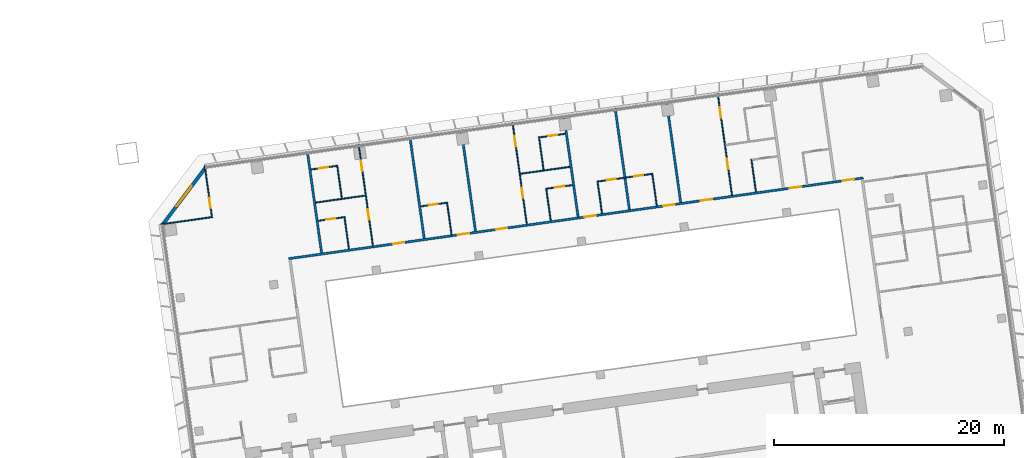
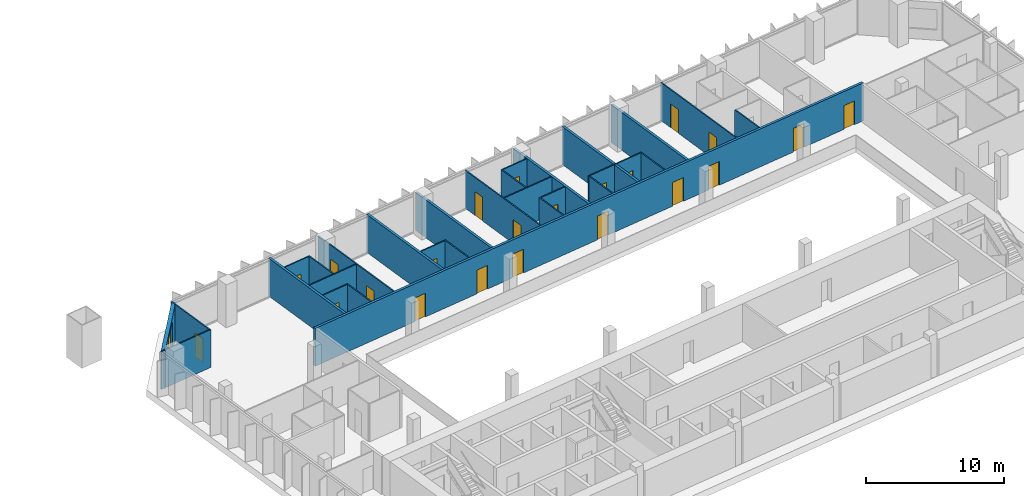
# One storey, part 21 of 25: 29 walls, 22 doors, 1 window, 23 openings.
"""IFC4 building model written with IfcOpenShell, lengths in metres."""

from ifc_helpers import new_model, si_unit, direction, frame, frame_2d, origin, place, context, subcontext, project, spatial, rectangle, extrude, material, layer, layer_set, type_object, element, fill, save


model = new_model("IFC4")

# Units and contexts
model_context = context("Model", 3, precision=1e-05, world=origin(), true_north=direction((0.0, 1.0)))
body_context = subcontext(model_context, "Body", "Model", "MODEL_VIEW")
ifc_project = project(units=[si_unit("LENGTHUNIT", "METRE"), si_unit("AREAUNIT", "SQUARE_METRE"), si_unit("VOLUMEUNIT", "CUBIC_METRE"), si_unit("PLANEANGLEUNIT", "RADIAN"), si_unit("MASSUNIT", "GRAM", prefix="KILO")], contexts=[model_context])

# Site, building, storey
site_placement = place(None, origin())
site = spatial("IfcSite", under=ifc_project, at=site_placement, CompositionType="ELEMENT")
building_placement = place(site_placement, origin())
building = spatial("IfcBuilding", under=site, at=building_placement, Name="Mirante Cascada Hotel Towers", CompositionType="ELEMENT")
storey_placement = place(building_placement, frame((0.0, 0.0, 62.3)))
storey = spatial("IfcBuildingStorey", under=building, at=storey_placement, Name="L12", CompositionType="ELEMENT", Elevation=62.3)

# Wall, openings, doors
ifc_material_1 = material(Name="Fire-rated plasterboard on metal studs")
ifc_layer_1 = layer(ifc_material_1, 0.2)
ifc_layer_set_1 = layer_set([ifc_layer_1], Name="Compartment wall 200 EI 120")
wall_type_1 = type_object("IfcWallType", Name="Compartment wall 200 EI 120", PredefinedType="PARTITIONING", material=ifc_layer_set_1)
wall_1_placement = place(storey_placement, frame((39.1051, 9.3779, 0.0), z_axis=(0.0, 0.0, 1.0), x_axis=(0.9902681, 0.1391727, 0.0)))
wall_1 = element("IfcWall", 1, at=wall_1_placement, inside=storey, type_object=wall_type_1, Name="Wall 2-L12-17", PredefinedType="PARTITIONING", context=body_context, shape_type="SweptSolid", body=[
    extrude(rectangle(XDim=50.4, YDim=0.2, at=frame_2d((25.2, 0.0))), origin(), (0.0, 0.0, 1.0), 3.35),
])
opening_1_placement = place(wall_1_placement, frame((9.15, 0.0, 0.0)))
opening_1 = element("IfcOpeningElement", 2, at=opening_1_placement, cuts=wall_1, Name="Opening D2-L12-08", PredefinedType="OPENING", context=body_context, shape_type="SweptSolid", body=[
    extrude(rectangle(XDim=1.0, YDim=2.1, at=frame_2d((0.5, 1.05))), frame((0.0, 0.1, 0.0), z_axis=(0.0, -1.0, 0.0), x_axis=(1.0, 0.0, 0.0)), (0.0, 0.0, 1.0), 0.2),
])
opening_2_placement = place(wall_1_placement, frame((14.85, 0.0, 0.0)))
opening_2 = element("IfcOpeningElement", 3, at=opening_2_placement, cuts=wall_1, Name="Opening D2-L12-09", PredefinedType="OPENING", context=body_context, shape_type="SweptSolid", body=[
    extrude(rectangle(XDim=1.0, YDim=2.1, at=frame_2d((0.5, 1.05))), frame((0.0, 0.1, 0.0), z_axis=(0.0, -1.0, 0.0), x_axis=(1.0, 0.0, 0.0)), (0.0, 0.0, 1.0), 0.2),
])
opening_3_placement = place(wall_1_placement, frame((18.15, 0.0, 0.0)))
opening_3 = element("IfcOpeningElement", 4, at=opening_3_placement, cuts=wall_1, Name="Opening D2-L12-10", PredefinedType="OPENING", context=body_context, shape_type="SweptSolid", body=[
    extrude(rectangle(XDim=1.0, YDim=2.1, at=frame_2d((0.5, 1.05))), frame((0.0, 0.1, 0.0), z_axis=(0.0, -1.0, 0.0), x_axis=(1.0, 0.0, 0.0)), (0.0, 0.0, 1.0), 0.2),
])
opening_4_placement = place(wall_1_placement, frame((25.95, 0.0, 0.0)))
opening_4 = element("IfcOpeningElement", 5, at=opening_4_placement, cuts=wall_1, Name="Opening D2-L12-11", PredefinedType="OPENING", context=body_context, shape_type="SweptSolid", body=[
    extrude(rectangle(XDim=1.0, YDim=2.1, at=frame_2d((0.5, 1.05))), frame((0.0, 0.1, 0.0), z_axis=(0.0, -1.0, 0.0), x_axis=(1.0, 0.0, 0.0)), (0.0, 0.0, 1.0), 0.2),
])
opening_5_placement = place(wall_1_placement, frame((32.85, 0.0, 0.0)))
opening_5 = element("IfcOpeningElement", 6, at=opening_5_placement, cuts=wall_1, Name="Opening D2-L12-12", PredefinedType="OPENING", context=body_context, shape_type="SweptSolid", body=[
    extrude(rectangle(XDim=1.0, YDim=2.1, at=frame_2d((0.5, 1.05))), frame((0.0, 0.1, 0.0), z_axis=(0.0, -1.0, 0.0), x_axis=(1.0, 0.0, 0.0)), (0.0, 0.0, 1.0), 0.2),
])
opening_6_placement = place(wall_1_placement, frame((36.15, 0.0, 0.0)))
opening_6 = element("IfcOpeningElement", 7, at=opening_6_placement, cuts=wall_1, Name="Opening D2-L12-13", PredefinedType="OPENING", context=body_context, shape_type="SweptSolid", body=[
    extrude(rectangle(XDim=1.0, YDim=2.1, at=frame_2d((0.5, 1.05))), frame((0.0, 0.1, 0.0), z_axis=(0.0, -1.0, 0.0), x_axis=(1.0, 0.0, 0.0)), (0.0, 0.0, 1.0), 0.2),
])
opening_7_placement = place(wall_1_placement, frame((43.95, 0.0, 0.0)))
opening_7 = element("IfcOpeningElement", 8, at=opening_7_placement, cuts=wall_1, Name="Opening D2-L12-14", PredefinedType="OPENING", context=body_context, shape_type="SweptSolid", body=[
    extrude(rectangle(XDim=1.0, YDim=2.1, at=frame_2d((0.5, 1.05))), frame((0.0, 0.1, 0.0), z_axis=(0.0, -1.0, 0.0), x_axis=(1.0, 0.0, 0.0)), (0.0, 0.0, 1.0), 0.2),
])
opening_8_placement = place(wall_1_placement, frame((48.6, 0.0, 0.0)))
opening_8 = element("IfcOpeningElement", 9, at=opening_8_placement, cuts=wall_1, Name="Opening D2-L12-15", PredefinedType="OPENING", context=body_context, shape_type="SweptSolid", body=[
    extrude(rectangle(XDim=1.0, YDim=2.1, at=frame_2d((0.5, 1.05))), frame((0.0, 0.1, 0.0), z_axis=(0.0, -1.0, 0.0), x_axis=(1.0, 0.0, 0.0)), (0.0, 0.0, 1.0), 0.2),
])
ifc_material_2 = material(Name="Fire-rated timber door leaf", Category="wood")
door_type_1 = type_object("IfcDoorType", Name="Entrance door DG1 1000x2100 EI 60", OperationType="SINGLE_SWING_LEFT", PredefinedType="DOOR", material=ifc_material_2)
door_1_placement = place(opening_1_placement, origin())
door_1 = element("IfcDoor", 10, at=door_1_placement, inside=storey, type_object=door_type_1, Name="Door D2-L12-08", OperationType="SINGLE_SWING_LEFT", OverallHeight=2.1, OverallWidth=1.0, PredefinedType="DOOR", context=body_context, shape_type="SweptSolid", body=[
    extrude(rectangle(XDim=1.0, YDim=2.1, at=frame_2d((0.5, 1.05))), frame((0.0, 0.025, 0.0), z_axis=(0.0, -1.0, 0.0), x_axis=(1.0, 0.0, 0.0)), (0.0, 0.0, 1.0), 0.05),
])
fill(opening_1, door_1)
door_2_placement = place(opening_2_placement, origin())
door_2 = element("IfcDoor", 11, at=door_2_placement, inside=storey, type_object=door_type_1, Name="Door D2-L12-09", OperationType="SINGLE_SWING_LEFT", OverallHeight=2.1, OverallWidth=1.0, PredefinedType="DOOR", context=body_context, shape_type="SweptSolid", body=[
    extrude(rectangle(XDim=1.0, YDim=2.1, at=frame_2d((0.5, 1.05))), frame((0.0, 0.025, 0.0), z_axis=(0.0, -1.0, 0.0), x_axis=(1.0, 0.0, 0.0)), (0.0, 0.0, 1.0), 0.05),
])
fill(opening_2, door_2)
door_3_placement = place(opening_3_placement, origin())
door_3 = element("IfcDoor", 12, at=door_3_placement, inside=storey, type_object=door_type_1, Name="Door D2-L12-10", OperationType="SINGLE_SWING_LEFT", OverallHeight=2.1, OverallWidth=1.0, PredefinedType="DOOR", context=body_context, shape_type="SweptSolid", body=[
    extrude(rectangle(XDim=1.0, YDim=2.1, at=frame_2d((0.5, 1.05))), frame((0.0, 0.025, 0.0), z_axis=(0.0, -1.0, 0.0), x_axis=(1.0, 0.0, 0.0)), (0.0, 0.0, 1.0), 0.05),
])
fill(opening_3, door_3)
door_4_placement = place(opening_4_placement, origin())
door_4 = element("IfcDoor", 13, at=door_4_placement, inside=storey, type_object=door_type_1, Name="Door D2-L12-11", OperationType="SINGLE_SWING_LEFT", OverallHeight=2.1, OverallWidth=1.0, PredefinedType="DOOR", context=body_context, shape_type="SweptSolid", body=[
    extrude(rectangle(XDim=1.0, YDim=2.1, at=frame_2d((0.5, 1.05))), frame((0.0, 0.025, 0.0), z_axis=(0.0, -1.0, 0.0), x_axis=(1.0, 0.0, 0.0)), (0.0, 0.0, 1.0), 0.05),
])
fill(opening_4, door_4)
door_5_placement = place(opening_5_placement, origin())
door_5 = element("IfcDoor", 14, at=door_5_placement, inside=storey, type_object=door_type_1, Name="Door D2-L12-12", OperationType="SINGLE_SWING_LEFT", OverallHeight=2.1, OverallWidth=1.0, PredefinedType="DOOR", context=body_context, shape_type="SweptSolid", body=[
    extrude(rectangle(XDim=1.0, YDim=2.1, at=frame_2d((0.5, 1.05))), frame((0.0, 0.025, 0.0), z_axis=(0.0, -1.0, 0.0), x_axis=(1.0, 0.0, 0.0)), (0.0, 0.0, 1.0), 0.05),
])
fill(opening_5, door_5)
door_6_placement = place(opening_6_placement, origin())
door_6 = element("IfcDoor", 15, at=door_6_placement, inside=storey, type_object=door_type_1, Name="Door D2-L12-13", OperationType="SINGLE_SWING_LEFT", OverallHeight=2.1, OverallWidth=1.0, PredefinedType="DOOR", context=body_context, shape_type="SweptSolid", body=[
    extrude(rectangle(XDim=1.0, YDim=2.1, at=frame_2d((0.5, 1.05))), frame((0.0, 0.025, 0.0), z_axis=(0.0, -1.0, 0.0), x_axis=(1.0, 0.0, 0.0)), (0.0, 0.0, 1.0), 0.05),
])
fill(opening_6, door_6)
door_7_placement = place(opening_7_placement, origin())
door_7 = element("IfcDoor", 16, at=door_7_placement, inside=storey, type_object=door_type_1, Name="Door D2-L12-14", OperationType="SINGLE_SWING_LEFT", OverallHeight=2.1, OverallWidth=1.0, PredefinedType="DOOR", context=body_context, shape_type="SweptSolid", body=[
    extrude(rectangle(XDim=1.0, YDim=2.1, at=frame_2d((0.5, 1.05))), frame((0.0, 0.025, 0.0), z_axis=(0.0, -1.0, 0.0), x_axis=(1.0, 0.0, 0.0)), (0.0, 0.0, 1.0), 0.05),
])
fill(opening_7, door_7)
door_8_placement = place(opening_8_placement, origin())
door_8 = element("IfcDoor", 17, at=door_8_placement, inside=storey, type_object=door_type_1, Name="Door D2-L12-15", OperationType="SINGLE_SWING_LEFT", OverallHeight=2.1, OverallWidth=1.0, PredefinedType="DOOR", context=body_context, shape_type="SweptSolid", body=[
    extrude(rectangle(XDim=1.0, YDim=2.1, at=frame_2d((0.5, 1.05))), frame((0.0, 0.025, 0.0), z_axis=(0.0, -1.0, 0.0), x_axis=(1.0, 0.0, 0.0)), (0.0, 0.0, 1.0), 0.05),
])
fill(opening_8, door_8)

# Walls
for number, where, z_axis, x_axis, name in (
    (18, (40.7243, 18.6939, 0.0), (0.0, 0.0, 1.0), (0.1391794, -0.9902672, 0.0), "Wall 2-L12-38"),
    (19, (49.6367, 19.9465, 0.0), (0.0, 0.0, 1.0), (0.1391794, -0.9902672, 0.0), "Wall 2-L12-42"),
    (20, (54.0929, 20.5728, 0.0), (0.0, 0.0, 1.0), (0.1391794, -0.9902672, 0.0), "Wall 2-L12-44"),
    (21, (63.0054, 21.8253, 0.0), (0.0, 0.0, 1.0), (0.1391684, -0.9902687, 0.0), "Wall 2-L12-48"),
    (22, (67.4616, 22.4516, 0.0), (0.0, 0.0, 1.0), (0.1391684, -0.9902687, 0.0), "Wall 2-L12-50"),
    (23, (71.9178, 23.0779, 0.0), (0.0, 0.0, 1.0), (0.1391684, -0.9902687, 0.0), "Wall 2-L12-52"),
):
    element("IfcWall", number, at=place(storey_placement, frame(where, z_axis=z_axis, x_axis=x_axis)), inside=storey, type_object=wall_type_1, Name=name, PredefinedType="PARTITIONING", context=body_context, shape_type="SweptSolid", body=[
        extrude(rectangle(XDim=8.9, YDim=0.2, at=frame_2d((4.45, 0.0))), origin(), (0.0, 0.0, 1.0), 3.35),
    ])

# Wall, opening, door
ifc_material_3 = material(Name="Plasterboard on metal studs")
ifc_layer_2 = layer(ifc_material_3, 0.1)
ifc_layer_set_2 = layer_set([ifc_layer_2], Name="Partition 100")
wall_type_2 = type_object("IfcWallType", Name="Partition 100", PredefinedType="PARTITIONING", material=ifc_layer_set_2)
wall_2_placement = place(storey_placement, frame((43.9004, 12.9804, 0.0), z_axis=(0.0, 0.0, 1.0), x_axis=(-0.9902643, -0.1391997, 0.0)))
wall_2 = element("IfcWall", 24, at=wall_2_placement, inside=storey, type_object=wall_type_2, Name="Wall 2-L12-18", PredefinedType="PARTITIONING", context=body_context, shape_type="SweptSolid", body=[
    extrude(rectangle(XDim=2.25, YDim=0.1, at=frame_2d((1.125, 0.0))), origin(), (0.0, 0.0, 1.0), 3.35),
])
opening_9_placement = place(wall_2_placement, frame((0.75, 0.0, 0.0)))
opening_9 = element("IfcOpeningElement", 25, at=opening_9_placement, cuts=wall_2, Name="Opening D2-L12-16", PredefinedType="OPENING", context=body_context, shape_type="SweptSolid", body=[
    extrude(rectangle(XDim=0.8, YDim=2.1, at=frame_2d((0.4, 1.05))), frame((0.0, 0.05, 0.0), z_axis=(0.0, -1.0, 0.0), x_axis=(1.0, 0.0, 0.0)), (0.0, 0.0, 1.0), 0.1),
])
ifc_material_4 = material(Name="Timber door leaf", Category="wood")
door_type_2 = type_object("IfcDoorType", Name="Bathroom door DG4 800x2100", OperationType="SINGLE_SWING_LEFT", PredefinedType="DOOR", material=ifc_material_4)
door_9_placement = place(opening_9_placement, origin())
door_9 = element("IfcDoor", 26, at=door_9_placement, inside=storey, type_object=door_type_2, Name="Door D2-L12-16", OperationType="SINGLE_SWING_LEFT", OverallHeight=2.1, OverallWidth=0.8, PredefinedType="DOOR", context=body_context, shape_type="SweptSolid", body=[
    extrude(rectangle(XDim=0.8, YDim=2.1, at=frame_2d((0.4, 1.05))), frame((0.0, 0.025, 0.0), z_axis=(0.0, -1.0, 0.0), x_axis=(1.0, 0.0, 0.0)), (0.0, 0.0, 1.0), 0.05),
])
fill(opening_9, door_9)

wall_3_placement = place(storey_placement, frame((50.5847, 13.9198, 0.0), z_axis=(0.0, 0.0, 1.0), x_axis=(0.9902705, 0.1391561, 0.0)))
wall_3 = element("IfcWall", 27, at=wall_3_placement, inside=storey, type_object=wall_type_2, Name="Wall 2-L12-19", PredefinedType="PARTITIONING", context=body_context, shape_type="SweptSolid", body=[
    extrude(rectangle(XDim=2.25, YDim=0.1, at=frame_2d((1.125, 0.0))), origin(), (0.0, 0.0, 1.0), 3.35),
])
opening_10_placement = place(wall_3_placement, frame((0.7, 0.0, 0.0)))
opening_10 = element("IfcOpeningElement", 28, at=opening_10_placement, cuts=wall_3, Name="Opening D2-L12-17", PredefinedType="OPENING", context=body_context, shape_type="SweptSolid", body=[
    extrude(rectangle(XDim=0.8, YDim=2.1, at=frame_2d((0.4, 1.05))), frame((0.0, 0.05, 0.0), z_axis=(0.0, -1.0, 0.0), x_axis=(1.0, 0.0, 0.0)), (0.0, 0.0, 1.0), 0.1),
])
door_10_placement = place(opening_10_placement, origin())
door_10 = element("IfcDoor", 29, at=door_10_placement, inside=storey, type_object=door_type_2, Name="Door D2-L12-17", OperationType="SINGLE_SWING_LEFT", OverallHeight=2.1, OverallWidth=0.8, PredefinedType="DOOR", context=body_context, shape_type="SweptSolid", body=[
    extrude(rectangle(XDim=0.8, YDim=2.1, at=frame_2d((0.4, 1.05))), frame((0.0, 0.025, 0.0), z_axis=(0.0, -1.0, 0.0), x_axis=(1.0, 0.0, 0.0)), (0.0, 0.0, 1.0), 0.05),
])
fill(opening_10, door_10)

wall_4_placement = place(storey_placement, frame((63.7553, 15.7708, 0.0), z_axis=(0.0, 0.0, 1.0), x_axis=(-0.9902643, -0.1391997, 0.0)))
wall_4 = element("IfcWall", 30, at=wall_4_placement, inside=storey, type_object=wall_type_2, Name="Wall 2-L12-20", PredefinedType="PARTITIONING", context=body_context, shape_type="SweptSolid", body=[
    extrude(rectangle(XDim=2.25, YDim=0.1, at=frame_2d((1.125, 0.0))), origin(), (0.0, 0.0, 1.0), 3.35),
])
opening_11_placement = place(wall_4_placement, frame((0.7, 0.0, 0.0)))
opening_11 = element("IfcOpeningElement", 31, at=opening_11_placement, cuts=wall_4, Name="Opening D2-L12-18", PredefinedType="OPENING", context=body_context, shape_type="SweptSolid", body=[
    extrude(rectangle(XDim=0.8, YDim=2.1, at=frame_2d((0.4, 1.05))), frame((0.0, 0.05, 0.0), z_axis=(0.0, -1.0, 0.0), x_axis=(1.0, 0.0, 0.0)), (0.0, 0.0, 1.0), 0.1),
])
door_11_placement = place(opening_11_placement, origin())
door_11 = element("IfcDoor", 32, at=door_11_placement, inside=storey, type_object=door_type_2, Name="Door D2-L12-18", OperationType="SINGLE_SWING_LEFT", OverallHeight=2.1, OverallWidth=0.8, PredefinedType="DOOR", context=body_context, shape_type="SweptSolid", body=[
    extrude(rectangle(XDim=0.8, YDim=2.1, at=frame_2d((0.4, 1.05))), frame((0.0, 0.025, 0.0), z_axis=(0.0, -1.0, 0.0), x_axis=(1.0, 0.0, 0.0)), (0.0, 0.0, 1.0), 0.05),
])
fill(opening_11, door_11)

# Wall, openings, doors
wall_5_placement = place(storey_placement, frame((65.8844, 16.07, 0.0), z_axis=(0.0, 0.0, 1.0), x_axis=(0.9902694, 0.1391638, 0.0)))
wall_5 = element("IfcWall", 33, at=wall_5_placement, inside=storey, type_object=wall_type_2, Name="Wall 2-L12-21", PredefinedType="PARTITIONING", context=body_context, shape_type="SweptSolid", body=[
    extrude(rectangle(XDim=4.9, YDim=0.1, at=frame_2d((2.45, 0.0))), origin(), (0.0, 0.0, 1.0), 3.35),
])
opening_12_placement = place(wall_5_placement, frame((0.85, 0.0, 0.0)))
opening_12 = element("IfcOpeningElement", 34, at=opening_12_placement, cuts=wall_5, Name="Opening D2-L12-19", PredefinedType="OPENING", context=body_context, shape_type="SweptSolid", body=[
    extrude(rectangle(XDim=0.8, YDim=2.1, at=frame_2d((0.4, 1.05))), frame((0.0, 0.05, 0.0), z_axis=(0.0, -1.0, 0.0), x_axis=(1.0, 0.0, 0.0)), (0.0, 0.0, 1.0), 0.1),
])
opening_13_placement = place(wall_5_placement, frame((3.25, 0.0, 0.0)))
opening_13 = element("IfcOpeningElement", 35, at=opening_13_placement, cuts=wall_5, Name="Opening D2-L12-20", PredefinedType="OPENING", context=body_context, shape_type="SweptSolid", body=[
    extrude(rectangle(XDim=0.8, YDim=2.1, at=frame_2d((0.4, 1.05))), frame((0.0, 0.05, 0.0), z_axis=(0.0, -1.0, 0.0), x_axis=(1.0, 0.0, 0.0)), (0.0, 0.0, 1.0), 0.1),
])
door_12_placement = place(opening_12_placement, origin())
door_12 = element("IfcDoor", 36, at=door_12_placement, inside=storey, type_object=door_type_2, Name="Door D2-L12-19", OperationType="SINGLE_SWING_LEFT", OverallHeight=2.1, OverallWidth=0.8, PredefinedType="DOOR", context=body_context, shape_type="SweptSolid", body=[
    extrude(rectangle(XDim=0.8, YDim=2.1, at=frame_2d((0.4, 1.05))), frame((0.0, 0.025, 0.0), z_axis=(0.0, -1.0, 0.0), x_axis=(1.0, 0.0, 0.0)), (0.0, 0.0, 1.0), 0.05),
])
fill(opening_12, door_12)
door_13_placement = place(opening_13_placement, origin())
door_13 = element("IfcDoor", 37, at=door_13_placement, inside=storey, type_object=door_type_2, Name="Door D2-L12-20", OperationType="SINGLE_SWING_LEFT", OverallHeight=2.1, OverallWidth=0.8, PredefinedType="DOOR", context=body_context, shape_type="SweptSolid", body=[
    extrude(rectangle(XDim=0.8, YDim=2.1, at=frame_2d((0.4, 1.05))), frame((0.0, 0.025, 0.0), z_axis=(0.0, -1.0, 0.0), x_axis=(1.0, 0.0, 0.0)), (0.0, 0.0, 1.0), 0.05),
])
fill(opening_13, door_13)

# Walls
wall_6_placement = place(storey_placement, frame((32.4877, 12.9921, 0.0), z_axis=(0.0, 0.0, 1.0), x_axis=(-0.9902691, -0.1391656, 0.0)))
element("IfcWall", 38, at=wall_6_placement, inside=storey, type_object=wall_type_2, Name="Wall 2-L12-24", PredefinedType="PARTITIONING", context=body_context, shape_type="SweptSolid", body=[
    extrude(rectangle(XDim=4.55, YDim=0.1, at=frame_2d((2.275, 0.0))), origin(), (0.0, 0.0, 1.0), 3.35),
])
for number, where, z_axis, x_axis, name in (
    (39, (41.4496, 14.2516, 0.0), (0.0, 0.0, 1.0), (0.9902683, 0.1391714, 0.0), "Wall 2-L12-25"),
    (40, (63.5326, 17.3552, 0.0), (0.0, 0.0, 1.0), (-0.9902683, -0.1391714, 0.0), "Wall 2-L12-26"),
):
    element("IfcWall", number, at=place(storey_placement, frame(where, z_axis=z_axis, x_axis=x_axis)), inside=storey, type_object=wall_type_2, Name=name, PredefinedType="PARTITIONING", context=body_context, shape_type="SweptSolid", body=[
        extrude(rectangle(XDim=4.35, YDim=0.1, at=frame_2d((2.175, 0.0))), origin(), (0.0, 0.0, 1.0), 3.35),
    ])

# Wall, opening, door
wall_7_placement = place(storey_placement, frame((43.2741, 17.4366, 0.0), z_axis=(0.0, 0.0, 1.0), x_axis=(-0.9902643, -0.1391997, 0.0)))
wall_7 = element("IfcWall", 41, at=wall_7_placement, inside=storey, type_object=wall_type_2, Name="Wall 2-L12-28", PredefinedType="PARTITIONING", context=body_context, shape_type="SweptSolid", body=[
    extrude(rectangle(XDim=2.25, YDim=0.1, at=frame_2d((1.125, 0.0))), origin(), (0.0, 0.0, 1.0), 3.35),
])
opening_14_placement = place(wall_7_placement, frame((0.75, 0.0, 0.0)))
opening_14 = element("IfcOpeningElement", 42, at=opening_14_placement, cuts=wall_7, Name="Opening D2-L12-23", PredefinedType="OPENING", context=body_context, shape_type="SweptSolid", body=[
    extrude(rectangle(XDim=0.8, YDim=2.1, at=frame_2d((0.4, 1.05))), frame((0.0, 0.05, 0.0), z_axis=(0.0, -1.0, 0.0), x_axis=(1.0, 0.0, 0.0)), (0.0, 0.0, 1.0), 0.1),
])
door_14_placement = place(opening_14_placement, origin())
door_14 = element("IfcDoor", 43, at=door_14_placement, inside=storey, type_object=door_type_2, Name="Door D2-L12-23", OperationType="SINGLE_SWING_LEFT", OverallHeight=2.1, OverallWidth=0.8, PredefinedType="DOOR", context=body_context, shape_type="SweptSolid", body=[
    extrude(rectangle(XDim=0.8, YDim=2.1, at=frame_2d((0.4, 1.05))), frame((0.0, 0.025, 0.0), z_axis=(0.0, -1.0, 0.0), x_axis=(1.0, 0.0, 0.0)), (0.0, 0.0, 1.0), 0.05),
])
fill(opening_14, door_14)

wall_8_placement = place(storey_placement, frame((60.9009, 19.9138, 0.0), z_axis=(0.0, 0.0, 1.0), x_axis=(0.9902643, 0.1391997, 0.0)))
wall_8 = element("IfcWall", 44, at=wall_8_placement, inside=storey, type_object=wall_type_2, Name="Wall 2-L12-29", PredefinedType="PARTITIONING", context=body_context, shape_type="SweptSolid", body=[
    extrude(rectangle(XDim=2.25, YDim=0.1, at=frame_2d((1.125, 0.0))), origin(), (0.0, 0.0, 1.0), 3.35),
])
opening_15_placement = place(wall_8_placement, frame((0.75, 0.0, 0.0)))
opening_15 = element("IfcOpeningElement", 45, at=opening_15_placement, cuts=wall_8, Name="Opening D2-L12-24", PredefinedType="OPENING", context=body_context, shape_type="SweptSolid", body=[
    extrude(rectangle(XDim=0.8, YDim=2.1, at=frame_2d((0.4, 1.05))), frame((0.0, 0.05, 0.0), z_axis=(0.0, -1.0, 0.0), x_axis=(1.0, 0.0, 0.0)), (0.0, 0.0, 1.0), 0.1),
])
door_15_placement = place(opening_15_placement, frame((0.8, 0.0, 0.0), z_axis=(0.0, 0.0, 1.0), x_axis=(-1.0, 0.0, 0.0)))
door_15 = element("IfcDoor", 46, at=door_15_placement, inside=storey, type_object=door_type_2, Name="Door D2-L12-24", OperationType="SINGLE_SWING_RIGHT", OverallHeight=2.1, OverallWidth=0.8, PredefinedType="DOOR", context=body_context, shape_type="SweptSolid", body=[
    extrude(rectangle(XDim=0.8, YDim=2.1, at=frame_2d((0.4, 1.05))), frame((0.0, 0.025, 0.0), z_axis=(0.0, -1.0, 0.0), x_axis=(1.0, 0.0, 0.0)), (0.0, 0.0, 1.0), 0.05),
])
fill(opening_15, door_15)

wall_9_placement = place(storey_placement, frame((31.8119, 17.4414, 0.0), z_axis=(0.0, 0.0, 1.0), x_axis=(0.1391684, -0.9902687, 0.0)))
wall_9 = element("IfcWall", 47, at=wall_9_placement, inside=storey, type_object=wall_type_2, Name="Wall 2-L12-34", PredefinedType="PARTITIONING", context=body_context, shape_type="SweptSolid", body=[
    extrude(rectangle(XDim=4.45, YDim=0.1, at=frame_2d((2.225, 0.0))), origin(), (0.0, 0.0, 1.0), 3.35),
])
opening_16_placement = place(wall_9_placement, frame((2.8, 0.0, 0.0)))
opening_16 = element("IfcOpeningElement", 48, at=opening_16_placement, cuts=wall_9, Name="Opening D2-L12-29", PredefinedType="OPENING", context=body_context, shape_type="SweptSolid", body=[
    extrude(rectangle(XDim=0.9, YDim=2.1, at=frame_2d((0.45, 1.05))), frame((0.0, 0.05, 0.0), z_axis=(0.0, -1.0, 0.0), x_axis=(1.0, 0.0, 0.0)), (0.0, 0.0, 1.0), 0.1),
])
ifc_material_5 = material(Name="Timber door leaf", Category="wood")
door_type_3 = type_object("IfcDoorType", Name="Room door DG3 900x2100", OperationType="SINGLE_SWING_LEFT", PredefinedType="DOOR", material=ifc_material_5)
door_16_placement = place(opening_16_placement, origin())
door_16 = element("IfcDoor", 49, at=door_16_placement, inside=storey, type_object=door_type_3, Name="Door D2-L12-29", OperationType="SINGLE_SWING_LEFT", OverallHeight=2.1, OverallWidth=0.9, PredefinedType="DOOR", context=body_context, shape_type="SweptSolid", body=[
    extrude(rectangle(XDim=0.9, YDim=2.1, at=frame_2d((0.45, 1.05))), frame((0.0, 0.025, 0.0), z_axis=(0.0, -1.0, 0.0), x_axis=(1.0, 0.0, 0.0)), (0.0, 0.0, 1.0), 0.05),
])
fill(opening_16, door_16)

# Walls
wall_10_placement = place(storey_placement, frame((44.3396, 10.2146, 0.0), z_axis=(0.0, 0.0, 1.0), x_axis=(-0.1391613, 0.9902697, 0.0)))
element("IfcWall", 50, at=wall_10_placement, inside=storey, type_object=wall_type_2, Name="Wall 2-L12-39", PredefinedType="PARTITIONING", context=body_context, shape_type="SweptSolid", body=[
    extrude(rectangle(XDim=2.8499, YDim=0.1, at=frame_2d((1.425, 0.0))), origin(), (0.0, 0.0, 1.0), 3.35),
])
wall_11_placement = place(storey_placement, frame((43.3167, 17.493, 0.0), z_axis=(0.0, 0.0, 1.0), x_axis=(0.1391761, -0.9902676, 0.0)))
element("IfcWall", 51, at=wall_11_placement, inside=storey, type_object=wall_type_2, Name="Wall 2-L12-40", PredefinedType="PARTITIONING", context=body_context, shape_type="SweptSolid", body=[
    extrude(rectangle(XDim=2.8999, YDim=0.1, at=frame_2d((1.45, 0.0))), origin(), (0.0, 0.0, 1.0), 3.35),
])

# Wall, openings, doors
wall_12_placement = place(storey_placement, frame((46.4192, 10.5068, 0.0), z_axis=(0.0, 0.0, 1.0), x_axis=(-0.1391794, 0.9902672, 0.0)))
wall_12 = element("IfcWall", 52, at=wall_12_placement, inside=storey, type_object=wall_type_2, Name="Wall 2-L12-41", PredefinedType="PARTITIONING", context=body_context, shape_type="SweptSolid", body=[
    extrude(rectangle(XDim=8.9, YDim=0.1, at=frame_2d((4.45, 0.0))), origin(), (0.0, 0.0, 1.0), 3.35),
])
opening_17_placement = place(wall_12_placement, frame((2.3, 0.0, 0.0)))
opening_17 = element("IfcOpeningElement", 53, at=opening_17_placement, cuts=wall_12, Name="Opening D2-L12-32", PredefinedType="OPENING", context=body_context, shape_type="SweptSolid", body=[
    extrude(rectangle(XDim=0.9, YDim=2.1, at=frame_2d((0.45, 1.05))), frame((0.0, 0.05, 0.0), z_axis=(0.0, -1.0, 0.0), x_axis=(1.0, 0.0, 0.0)), (0.0, 0.0, 1.0), 0.1),
])
opening_18_placement = place(wall_12_placement, frame((6.55, 0.0, 0.0)))
opening_18 = element("IfcOpeningElement", 54, at=opening_18_placement, cuts=wall_12, Name="Opening D2-L12-33", PredefinedType="OPENING", context=body_context, shape_type="SweptSolid", body=[
    extrude(rectangle(XDim=0.9, YDim=2.1, at=frame_2d((0.45, 1.05))), frame((0.0, 0.05, 0.0), z_axis=(0.0, -1.0, 0.0), x_axis=(1.0, 0.0, 0.0)), (0.0, 0.0, 1.0), 0.1),
])
door_17_placement = place(opening_17_placement, frame((0.9, 0.0, 0.0), z_axis=(0.0, 0.0, 1.0), x_axis=(-1.0, 0.0, 0.0)))
door_17 = element("IfcDoor", 55, at=door_17_placement, inside=storey, type_object=door_type_3, Name="Door D2-L12-32", OperationType="SINGLE_SWING_RIGHT", OverallHeight=2.1, OverallWidth=0.9, PredefinedType="DOOR", context=body_context, shape_type="SweptSolid", body=[
    extrude(rectangle(XDim=0.9, YDim=2.1, at=frame_2d((0.45, 1.05))), frame((0.0, 0.025, 0.0), z_axis=(0.0, -1.0, 0.0), x_axis=(1.0, 0.0, 0.0)), (0.0, 0.0, 1.0), 0.05),
])
fill(opening_17, door_17)
door_18_placement = place(opening_18_placement, frame((0.9, 0.0, 0.0), z_axis=(0.0, 0.0, 1.0), x_axis=(-1.0, 0.0, 0.0)))
door_18 = element("IfcDoor", 56, at=door_18_placement, inside=storey, type_object=door_type_3, Name="Door D2-L12-33", OperationType="SINGLE_SWING_RIGHT", OverallHeight=2.1, OverallWidth=0.9, PredefinedType="DOOR", context=body_context, shape_type="SweptSolid", body=[
    extrude(rectangle(XDim=0.9, YDim=2.1, at=frame_2d((0.45, 1.05))), frame((0.0, 0.025, 0.0), z_axis=(0.0, -1.0, 0.0), x_axis=(1.0, 0.0, 0.0)), (0.0, 0.0, 1.0), 0.05),
])
fill(opening_18, door_18)

# Wall
wall_13_placement = place(storey_placement, frame((53.252, 11.4671, 0.0), z_axis=(0.0, 0.0, 1.0), x_axis=(-0.1391564, 0.9902704, 0.0)))
element("IfcWall", 57, at=wall_13_placement, inside=storey, type_object=wall_type_2, Name="Wall 2-L12-43", PredefinedType="PARTITIONING", context=body_context, shape_type="SweptSolid", body=[
    extrude(rectangle(XDim=2.85, YDim=0.1, at=frame_2d((1.425, 0.0))), origin(), (0.0, 0.0, 1.0), 3.35),
])

# Wall, openings, doors
wall_14_placement = place(storey_placement, frame((59.7878, 12.3857, 0.0), z_axis=(0.0, 0.0, 1.0), x_axis=(-0.13917, 0.9902685, 0.0)))
wall_14 = element("IfcWall", 58, at=wall_14_placement, inside=storey, type_object=wall_type_2, Name="Wall 2-L12-45", PredefinedType="PARTITIONING", context=body_context, shape_type="SweptSolid", body=[
    extrude(rectangle(XDim=8.8999, YDim=0.1, at=frame_2d((4.45, 0.0))), origin(), (0.0, 0.0, 1.0), 3.35),
])
opening_19_placement = place(wall_14_placement, frame((2.3, 0.0, 0.0)))
opening_19 = element("IfcOpeningElement", 59, at=opening_19_placement, cuts=wall_14, Name="Opening D2-L12-34", PredefinedType="OPENING", context=body_context, shape_type="SweptSolid", body=[
    extrude(rectangle(XDim=0.9, YDim=2.1, at=frame_2d((0.45, 1.05))), frame((0.0, 0.05, 0.0), z_axis=(0.0, -1.0, 0.0), x_axis=(1.0, 0.0, 0.0)), (0.0, 0.0, 1.0), 0.1),
])
opening_20_placement = place(wall_14_placement, frame((6.8, 0.0, 0.0)))
opening_20 = element("IfcOpeningElement", 60, at=opening_20_placement, cuts=wall_14, Name="Opening D2-L12-35", PredefinedType="OPENING", context=body_context, shape_type="SweptSolid", body=[
    extrude(rectangle(XDim=0.9, YDim=2.1, at=frame_2d((0.45, 1.05))), frame((0.0, 0.05, 0.0), z_axis=(0.0, -1.0, 0.0), x_axis=(1.0, 0.0, 0.0)), (0.0, 0.0, 1.0), 0.1),
])
door_19_placement = place(opening_19_placement, origin())
door_19 = element("IfcDoor", 61, at=door_19_placement, inside=storey, type_object=door_type_3, Name="Door D2-L12-34", OperationType="SINGLE_SWING_LEFT", OverallHeight=2.1, OverallWidth=0.9, PredefinedType="DOOR", context=body_context, shape_type="SweptSolid", body=[
    extrude(rectangle(XDim=0.9, YDim=2.1, at=frame_2d((0.45, 1.05))), frame((0.0, 0.025, 0.0), z_axis=(0.0, -1.0, 0.0), x_axis=(1.0, 0.0, 0.0)), (0.0, 0.0, 1.0), 0.05),
])
fill(opening_19, door_19)
door_20_placement = place(opening_20_placement, origin())
door_20 = element("IfcDoor", 62, at=door_20_placement, inside=storey, type_object=door_type_3, Name="Door D2-L12-35", OperationType="SINGLE_SWING_LEFT", OverallHeight=2.1, OverallWidth=0.9, PredefinedType="DOOR", context=body_context, shape_type="SweptSolid", body=[
    extrude(rectangle(XDim=0.9, YDim=2.1, at=frame_2d((0.45, 1.05))), frame((0.0, 0.025, 0.0), z_axis=(0.0, -1.0, 0.0), x_axis=(1.0, 0.0, 0.0)), (0.0, 0.0, 1.0), 0.05),
])
fill(opening_20, door_20)

# Walls
wall_15_placement = place(storey_placement, frame((61.4707, 15.5002, 0.0), z_axis=(0.0, 0.0, 1.0), x_axis=(0.1391909, -0.9902656, 0.0)))
element("IfcWall", 63, at=wall_15_placement, inside=storey, type_object=wall_type_2, Name="Wall 2-L12-46", PredefinedType="PARTITIONING", context=body_context, shape_type="SweptSolid", body=[
    extrude(rectangle(XDim=2.85, YDim=0.1, at=frame_2d((1.425, 0.0))), origin(), (0.0, 0.0, 1.0), 3.35),
])
wall_16_placement = place(storey_placement, frame((61.248, 17.0846, 0.0), z_axis=(0.0, 0.0, 1.0), x_axis=(-0.1391714, 0.9902683, 0.0)))
element("IfcWall", 64, at=wall_16_placement, inside=storey, type_object=wall_type_2, Name="Wall 2-L12-47", PredefinedType="PARTITIONING", context=body_context, shape_type="SweptSolid", body=[
    extrude(rectangle(XDim=2.9, YDim=0.1, at=frame_2d((1.45, 0.0))), origin(), (0.0, 0.0, 1.0), 3.35),
])
wall_17_placement = place(storey_placement, frame((66.3236, 13.3042, 0.0), z_axis=(0.0, 0.0, 1.0), x_axis=(-0.1392013, 0.9902641, 0.0)))
element("IfcWall", 65, at=wall_17_placement, inside=storey, type_object=wall_type_2, Name="Wall 2-L12-49", PredefinedType="PARTITIONING", context=body_context, shape_type="SweptSolid", body=[
    extrude(rectangle(XDim=2.75, YDim=0.1, at=frame_2d((1.375, 0.0))), origin(), (0.0, 0.0, 1.0), 3.35),
])
wall_18_placement = place(storey_placement, frame((71.0769, 13.9722, 0.0), z_axis=(0.0, 0.0, 1.0), x_axis=(-0.1391963, 0.9902648, 0.0)))
element("IfcWall", 66, at=wall_18_placement, inside=storey, type_object=wall_type_2, Name="Wall 2-L12-51", PredefinedType="PARTITIONING", context=body_context, shape_type="SweptSolid", body=[
    extrude(rectangle(XDim=2.7501, YDim=0.1, at=frame_2d((1.3751, 0.0))), origin(), (0.0, 0.0, 1.0), 3.35),
])

# Wall, openings, doors
wall_19_placement = place(storey_placement, frame((77.6126, 14.8908, 0.0), z_axis=(0.0, 0.0, 1.0), x_axis=(-0.1391684, 0.9902687, 0.0)))
wall_19 = element("IfcWall", 67, at=wall_19_placement, inside=storey, type_object=wall_type_2, Name="Wall 2-L12-53", PredefinedType="PARTITIONING", context=body_context, shape_type="SweptSolid", body=[
    extrude(rectangle(XDim=8.9, YDim=0.1, at=frame_2d((4.45, 0.0))), origin(), (0.0, 0.0, 1.0), 3.35),
])
opening_21_placement = place(wall_19_placement, frame((2.3, 0.0, 0.0)))
opening_21 = element("IfcOpeningElement", 68, at=opening_21_placement, cuts=wall_19, Name="Opening D2-L12-36", PredefinedType="OPENING", context=body_context, shape_type="SweptSolid", body=[
    extrude(rectangle(XDim=0.9, YDim=2.1, at=frame_2d((0.45, 1.05))), frame((0.0, 0.05, 0.0), z_axis=(0.0, -1.0, 0.0), x_axis=(1.0, 0.0, 0.0)), (0.0, 0.0, 1.0), 0.1),
])
opening_22_placement = place(wall_19_placement, frame((6.8, 0.0, 0.0)))
opening_22 = element("IfcOpeningElement", 69, at=opening_22_placement, cuts=wall_19, Name="Opening D2-L12-37", PredefinedType="OPENING", context=body_context, shape_type="SweptSolid", body=[
    extrude(rectangle(XDim=0.9, YDim=2.1, at=frame_2d((0.45, 1.05))), frame((0.0, 0.05, 0.0), z_axis=(0.0, -1.0, 0.0), x_axis=(1.0, 0.0, 0.0)), (0.0, 0.0, 1.0), 0.1),
])
door_21_placement = place(opening_21_placement, origin())
door_21 = element("IfcDoor", 70, at=door_21_placement, inside=storey, type_object=door_type_3, Name="Door D2-L12-36", OperationType="SINGLE_SWING_LEFT", OverallHeight=2.1, OverallWidth=0.9, PredefinedType="DOOR", context=body_context, shape_type="SweptSolid", body=[
    extrude(rectangle(XDim=0.9, YDim=2.1, at=frame_2d((0.45, 1.05))), frame((0.0, 0.025, 0.0), z_axis=(0.0, -1.0, 0.0), x_axis=(1.0, 0.0, 0.0)), (0.0, 0.0, 1.0), 0.05),
])
fill(opening_21, door_21)
door_22_placement = place(opening_22_placement, origin())
door_22 = element("IfcDoor", 71, at=door_22_placement, inside=storey, type_object=door_type_3, Name="Door D2-L12-37", OperationType="SINGLE_SWING_LEFT", OverallHeight=2.1, OverallWidth=0.9, PredefinedType="DOOR", context=body_context, shape_type="SweptSolid", body=[
    extrude(rectangle(XDim=0.9, YDim=2.1, at=frame_2d((0.45, 1.05))), frame((0.0, 0.025, 0.0), z_axis=(0.0, -1.0, 0.0), x_axis=(1.0, 0.0, 0.0)), (0.0, 0.0, 1.0), 0.05),
])
fill(opening_22, door_22)

# Wall
wall_20_placement = place(storey_placement, frame((79.2955, 18.0053, 0.0), z_axis=(0.0, 0.0, 1.0), x_axis=(0.1391909, -0.9902656, 0.0)))
element("IfcWall", 72, at=wall_20_placement, inside=storey, type_object=wall_type_2, Name="Wall 2-L12-54", PredefinedType="PARTITIONING", context=body_context, shape_type="SweptSolid", body=[
    extrude(rectangle(XDim=2.85, YDim=0.1, at=frame_2d((1.425, 0.0))), origin(), (0.0, 0.0, 1.0), 3.35),
])

# Wall, opening, window
ifc_material_6 = material(Name="Precast concrete C40/50", Category="concrete")
ifc_layer_3 = layer(ifc_material_6, 0.3)
ifc_layer_set_3 = layer_set([ifc_layer_3], Name="Precast concrete C40/50 cladding wall 300")
wall_type_3 = type_object("IfcWallType", Name="Precast concrete C40/50 cladding wall 300", PredefinedType="STANDARD", material=ifc_layer_set_3)
wall_21_placement = place(storey_placement, frame((31.857, 17.252, 0.0), z_axis=(0.0, 0.0, 1.0), x_axis=(-0.6018141, -0.7986362, 0.0)))
wall_21 = element("IfcWall", 73, at=wall_21_placement, inside=storey, type_object=wall_type_3, Name="Corner cladding wall T2 L12 front inner", PredefinedType="STANDARD", context=body_context, shape_type="SweptSolid", body=[
    extrude(rectangle(XDim=6.1157, YDim=0.3, at=frame_2d((3.0578, 0.0))), origin(), (0.0, 0.0, 1.0), 3.35),
])
opening_23_placement = place(wall_21_placement, frame((1.9578, 0.0, 0.6)))
opening_23 = element("IfcOpeningElement", 74, at=opening_23_placement, cuts=wall_21, Name="Opening W2-12-04", PredefinedType="OPENING", context=body_context, shape_type="SweptSolid", body=[
    extrude(rectangle(XDim=2.2, YDim=2.4, at=frame_2d((1.1, 1.2))), frame((0.0, 0.15, 0.0), z_axis=(0.0, -1.0, 0.0), x_axis=(1.0, 0.0, 0.0)), (0.0, 0.0, 1.0), 0.3),
])
ifc_material_7 = material(Name="Aluminium frame with clear double glazing", Category="aluminium")
window_type = type_object("IfcWindowType", Name="Corner suite window 2200x2400", PartitioningType="DOUBLE_PANEL_VERTICAL", PredefinedType="WINDOW", material=ifc_material_7)
window_placement = place(opening_23_placement, origin())
window = element("IfcWindow", 75, at=window_placement, inside=storey, type_object=window_type, Name="Window W2-12-04", OverallHeight=2.4, OverallWidth=2.2, PartitioningType="SINGLE_PANEL", PredefinedType="WINDOW", context=body_context, shape_type="SweptSolid", body=[
    extrude(rectangle(XDim=2.2, YDim=2.4, at=frame_2d((1.1, 1.2))), frame((0.0, 0.03, 0.0), z_axis=(0.0, -1.0, 0.0), x_axis=(1.0, 0.0, 0.0)), (0.0, 0.0, 1.0), 0.06),
])
fill(opening_23, window)

save(model, "model.ifc")
